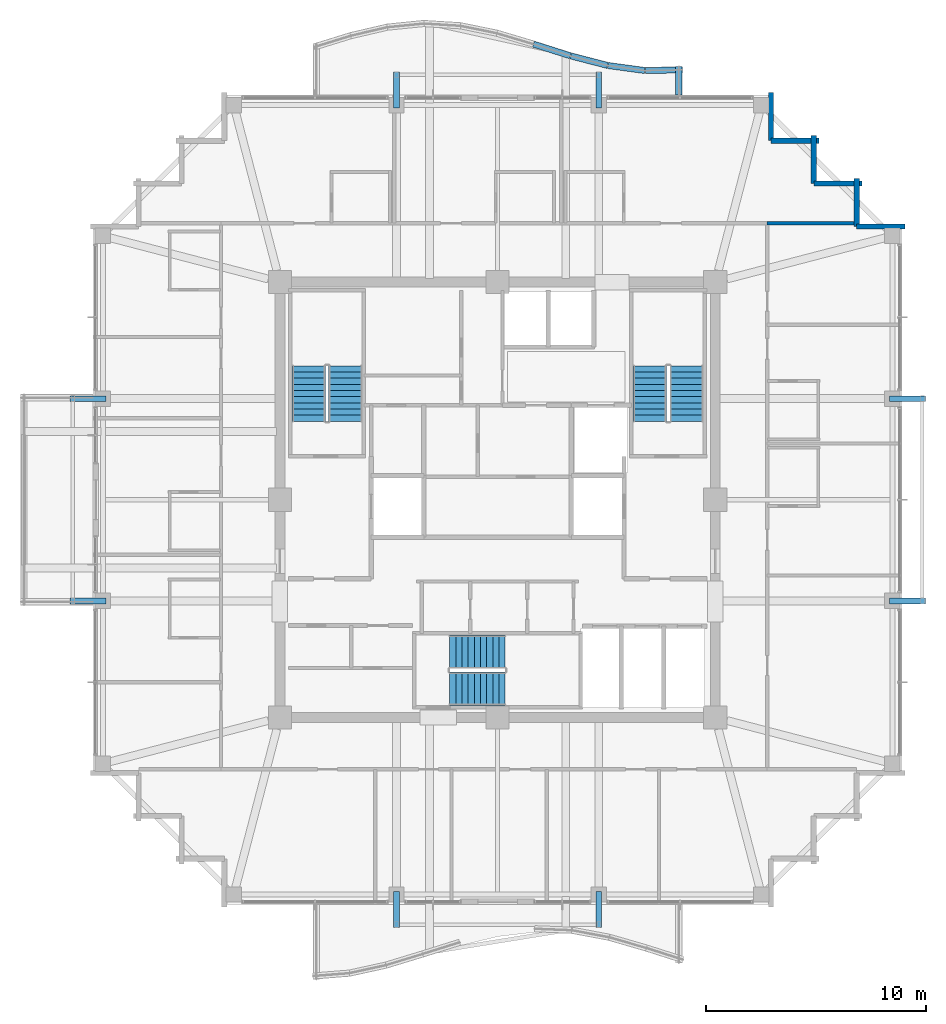
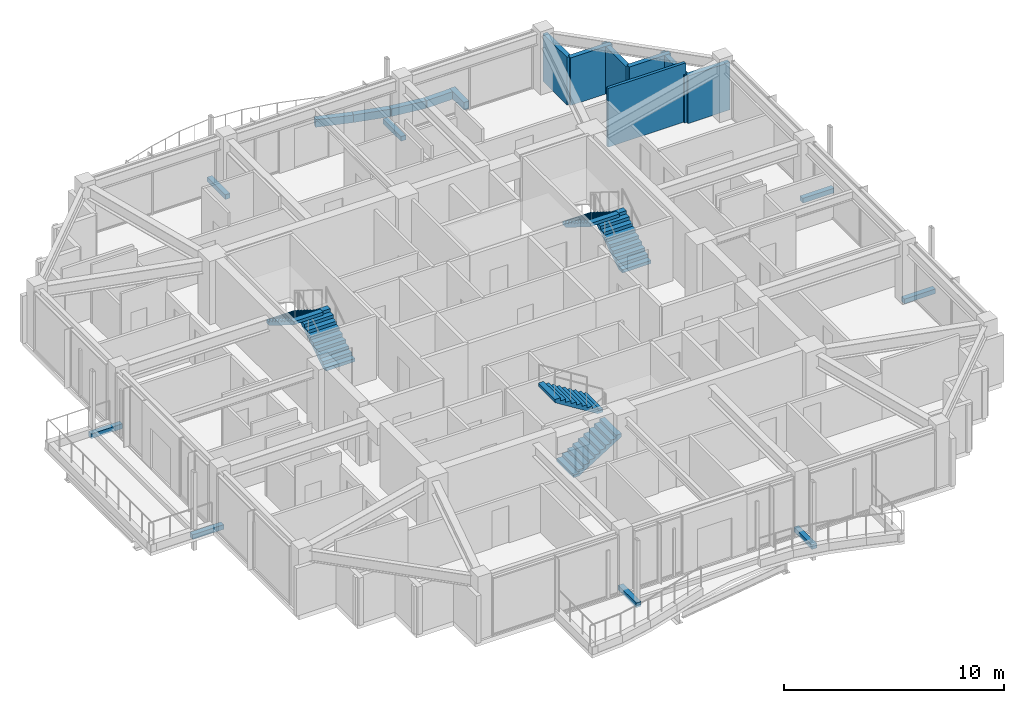
# One storey, part 31 of 34: 12 walls, 8 discrete accessories, 6 stair flights, 3 elements without a shape of their own.
"""IFC4 building model written with IfcOpenShell, lengths in metres."""

from ifc_helpers import new_model, si_unit, direction, frame, frame_2d, origin, origin_2d, place, context, subcontext, project, spatial, polyline, rectangle, outline, extrude, material, layer, layer_set, type_object, element, aggregate, save


model = new_model("IFC4")

# Units and contexts
model_context = context("Model", 3, precision=1e-05, world=origin(), true_north=direction((0.0, 1.0)))
body_context = subcontext(model_context, "Body", "Model", "MODEL_VIEW")
ifc_project = project(units=[si_unit("LENGTHUNIT", "METRE"), si_unit("AREAUNIT", "SQUARE_METRE"), si_unit("VOLUMEUNIT", "CUBIC_METRE"), si_unit("PLANEANGLEUNIT", "RADIAN"), si_unit("MASSUNIT", "GRAM", prefix="KILO")], contexts=[model_context])

# Site, building, storey
site_placement = place(None, origin())
site = spatial("IfcSite", under=ifc_project, at=site_placement, CompositionType="ELEMENT")
building_placement = place(site_placement, origin())
building = spatial("IfcBuilding", under=site, at=building_placement, Name="Kolvaren Belvedere", CompositionType="ELEMENT")
storey_placement = place(building_placement, frame((0.0, 0.0, 240.89990234375)))
storey = spatial("IfcBuildingStorey", under=building, at=storey_placement, Name="L70", CompositionType="ELEMENT", Elevation=240.89990234375)

# Walls
ifc_material_1 = material(Name="Insulated pale-metal facade wall assembly", Category="aluminium")
ifc_layer_1 = layer(ifc_material_1, 0.239990234375)
ifc_layer_set_1 = layer_set([ifc_layer_1], Name="Insulated pale-metal facade wall assembly")
wall_type_1 = type_object("IfcWallType", Name="WL-EXT-240", PredefinedType="STANDARD", material=ifc_layer_set_1)
wall_1_placement = place(storey_placement, frame((16.330078125, 12.429931640625, 0.0), z_axis=(0.0, 0.0, 1.0), x_axis=(1.0, 0.0, 0.0)))
element("IfcWall", 1, at=wall_1_placement, inside=storey, type_object=wall_type_1, Name="L70 Serrated Corner Facade Wall 9", PredefinedType="STANDARD", context=body_context, shape_type="SweptSolid", body=[
    extrude(rectangle(XDim=2.18994140625, YDim=0.239990234375, at=frame_2d((1.094970703125, 0.0))), origin(), (0.0, 0.0, 1.0), 2.633056640625),
])
for number, where, z_axis, x_axis, name in (
    (2, (16.330078125, 14.6201171875, 0.0), (0.0, 0.0, 1.0), (0.0, -1.0, 0.0), "L70 Serrated Corner Facade Wall 10"),
    (3, (14.3798828125, 14.3798828125, 0.0), (0.0, 0.0, 1.0), (1.0, 0.0, 0.0), "L70 Serrated Corner Facade Wall 11"),
    (4, (14.3798828125, 16.570068359375, 0.0), (0.0, 0.0, 1.0), (0.0, -1.0, 0.0), "L70 Serrated Corner Facade Wall 12"),
    (5, (12.429931640625, 16.330078125, 0.0), (0.0, 0.0, 1.0), (1.0, 0.0, 0.0), "L70 Serrated Corner Facade Wall 13"),
):
    element("IfcWall", number, at=place(storey_placement, frame(where, z_axis=z_axis, x_axis=x_axis)), inside=storey, type_object=wall_type_1, Name=name, PredefinedType="STANDARD", context=body_context, shape_type="SweptSolid", body=[
        extrude(rectangle(XDim=2.190185546875, YDim=0.239990234375, at=frame_2d((1.09521484375, 0.0))), origin(), (0.0, 0.0, 1.0), 2.633056640625),
    ])
wall_2_placement = place(storey_placement, frame((12.429931640625, 18.52001953125, 0.0), z_axis=(0.0, 0.0, 1.0), x_axis=(0.0, -1.0, 0.0)))
element("IfcWall", 6, at=wall_2_placement, inside=storey, type_object=wall_type_1, Name="L70 Serrated Corner Facade Wall 14", PredefinedType="STANDARD", context=body_context, shape_type="SweptSolid", body=[
    extrude(rectangle(XDim=2.18994140625, YDim=0.239990234375, at=frame_2d((1.094970703125, 0.0))), origin(), (0.0, 0.0, 1.0), 2.633056640625),
])
ifc_material_2 = material(Name="Gypsum acoustic partition assembly", Category="gypsum")
ifc_layer_2 = layer(ifc_material_2, 0.14990234375)
ifc_layer_set_2 = layer_set([ifc_layer_2], Name="Gypsum acoustic partition assembly")
wall_type_2 = type_object("IfcWallType", Name="WL-PART-150", PredefinedType="PARTITIONING", material=ifc_layer_set_2)
wall_3_placement = place(storey_placement, frame((12.260009765625, 12.580078125, 0.0), z_axis=(0.0, 0.0, 1.0), x_axis=(1.0, 0.0, 0.0)))
element("IfcWall", 7, at=wall_3_placement, inside=storey, type_object=wall_type_2, Name="L70 Wing Divider PW-L70-QNE", PredefinedType="PARTITIONING", context=body_context, shape_type="SweptSolid", body=[
    extrude(rectangle(XDim=4.06005859375, YDim=0.14990234375, at=frame_2d((2.030029296875, 0.0))), origin(), (0.0, 0.0, 1.0), 3.25),
])
ifc_material_3 = material(Name="Precast concrete C40/50", Category="concrete")
ifc_layer_3 = layer(ifc_material_3, 0.300048828125)
ifc_layer_set_3 = layer_set([ifc_layer_3], Name="Precast concrete C40/50")
wall_type_3 = type_object("IfcWallType", Name="WL-PLANTER-300", PredefinedType="PARAPET", material=ifc_layer_set_3)
wall_4_placement = place(storey_placement, frame((8.239990234375, 18.39990234375, -0.06982421875), z_axis=(0.0, 0.0, 1.0), x_axis=(0.0, 1.0, 0.0)))
element("IfcWall", 8, at=wall_4_placement, inside=storey, type_object=wall_type_3, Name="L70 Precast Structural Planter Wall BAL-N-11", PredefinedType="PARAPET", context=body_context, shape_type="SweptSolid", body=[
    extrude(rectangle(XDim=1.31298828125, YDim=0.280029296875, at=frame_2d((0.656494140625, 0.0))), origin(), (0.0, 0.0, 1.0), 0.419921875),
])
wall_5_placement = place(storey_placement, frame((8.4033203125, 19.552978515625, -0.06982421875), z_axis=(0.0, 0.0, 1.0), x_axis=(-0.99979609052, -0.020193498486, 0.0)))
element("IfcWall", 9, at=wall_5_placement, inside=storey, type_object=wall_type_3, Name="L70 Precast Structural Planter Wall BAL-N-12", PredefinedType="PARAPET", context=body_context, shape_type="SweptSolid", body=[
    extrude(rectangle(XDim=1.680419921875, YDim=0.280029296875, at=frame_2d((0.84033203125, 0.0))), origin(), (0.0, 0.0, 1.0), 0.419921875),
])
wall_6_placement = place(storey_placement, frame((6.698486328125, 19.5205078125, -0.06982421875), z_axis=(0.0, 0.0, 1.0), x_axis=(-0.990858183042, 0.134907602079, 0.0)))
element("IfcWall", 10, at=wall_6_placement, inside=storey, type_object=wall_type_3, Name="L70 Precast Structural Planter Wall BAL-N-13", PredefinedType="PARAPET", context=body_context, shape_type="SweptSolid", body=[
    extrude(rectangle(XDim=1.695556640625, YDim=0.280029296875, at=frame_2d((0.84765625, 0.0))), origin(), (0.0, 0.0, 1.0), 0.419921875),
])
wall_7_placement = place(storey_placement, frame((5.0, 19.7529296875, -0.06982421875), z_axis=(0.0, 0.0, 1.0), x_axis=(-0.968141031826, 0.250405556038, 0.0)))
element("IfcWall", 11, at=wall_7_placement, inside=storey, type_object=wall_type_3, Name="L70 Precast Structural Planter Wall BAL-N-14", PredefinedType="PARAPET", context=body_context, shape_type="SweptSolid", body=[
    extrude(rectangle(XDim=1.7353515625, YDim=0.280029296875, at=frame_2d((0.86767578125, 0.0))), origin(), (0.0, 0.0, 1.0), 0.419921875),
])
wall_8_placement = place(storey_placement, frame((3.3115234375, 20.18994140625, -0.06982421875), z_axis=(0.0, 0.0, 1.0), x_axis=(-0.953181954832, 0.302397356111, 0.0)))
element("IfcWall", 12, at=wall_8_placement, inside=storey, type_object=wall_type_3, Name="L70 Precast Structural Planter Wall BAL-N-15", PredefinedType="PARAPET", context=body_context, shape_type="SweptSolid", body=[
    extrude(rectangle(XDim=1.762451171875, YDim=0.280029296875, at=frame_2d((0.88134765625, 0.0))), origin(), (0.0, 0.0, 1.0), 0.419921875),
])

# Stair, stair flights
ifc_material_4 = material(Name="Concrete C50/60", Category="concrete")
stair_type = type_object("IfcStairType", Name="ST-CORE-1520", PredefinedType="HALF_TURN_STAIR", material=ifc_material_4)
stair_1_placement = place(storey_placement, origin())
stair_1 = element("IfcStair", 13, at=stair_1_placement, inside=storey, type_object=stair_type, Name="L70 Protected Exit Stair ST-1", PredefinedType="HALF_TURN_STAIR")
ifc_material_5 = material(Name="Concrete C50/60", Category="concrete")
stair_flight_type = type_object("IfcStairFlightType", Name="SF-STR-1520", PredefinedType="STRAIGHT", material=ifc_material_5)
stair_flight_1_placement = place(storey_placement, frame((-6.919921875, 3.570068359375, 0.0), z_axis=(0.0, 0.0, 1.0), x_axis=(0.0, 1.0, 0.0)))
stair_flight_1 = element("IfcStairFlight", 14, at=stair_flight_1_placement, type_object=stair_flight_type, Name="ST-1 flight 1", NumberOfRisers=10, NumberOfTreads=9, PredefinedType="STRAIGHT", RiserHeight=0.175, TreadLength=0.28, context=body_context, shape_type="SweptSolid", body=[
    extrude(outline(polyline([(0.0, 0.0), (0.0, 0.175048828125), (0.280029296875, 0.175048828125), (0.280029296875, 0.35009765625), (0.56005859375, 0.35009765625), (0.56005859375, 0.52490234375), (0.840087890625, 0.52490234375), (0.840087890625, 0.699951171875), (1.1201171875, 0.699951171875), (1.1201171875, 0.875), (1.39990234375, 0.875), (1.39990234375, 1.050048828125), (1.679931640625, 1.050048828125), (1.679931640625, 1.22509765625), (1.9599609375, 1.22509765625), (1.9599609375, 1.39990234375), (2.239990234375, 1.39990234375), (2.239990234375, 1.574951171875), (2.52001953125, 1.574951171875), (2.52001953125, 1.75), (2.52001953125, 1.398193359375), (0.28271484375, 0.0), (0.0, 0.0)])), frame((0.0, 0.760009765625, 0.0), z_axis=(0.0, -1.0, 0.0), x_axis=(1.0, 0.0, 0.0)), (0.0, 0.0, 1.0), 1.52001953125),
])
stair_flight_2_placement = place(storey_placement, frame((-8.590087890625, 6.090087890625, 1.75), z_axis=(0.0, 0.0, 1.0), x_axis=(0.0, -1.0, 0.0)))
stair_flight_2 = element("IfcStairFlight", 15, at=stair_flight_2_placement, type_object=stair_flight_type, Name="ST-1 flight 2", NumberOfRisers=10, NumberOfTreads=9, PredefinedType="STRAIGHT", RiserHeight=0.175, TreadLength=0.28, context=body_context, shape_type="SweptSolid", body=[
    extrude(outline(polyline([(0.0, 0.0), (0.0, 0.175048828125), (0.280029296875, 0.175048828125), (0.280029296875, 0.35009765625), (0.56005859375, 0.35009765625), (0.56005859375, 0.52490234375), (0.840087890625, 0.52490234375), (0.840087890625, 0.699951171875), (1.1201171875, 0.699951171875), (1.1201171875, 0.875), (1.39990234375, 0.875), (1.39990234375, 1.050048828125), (1.679931640625, 1.050048828125), (1.679931640625, 1.22509765625), (1.9599609375, 1.22509765625), (1.9599609375, 1.39990234375), (2.239990234375, 1.39990234375), (2.239990234375, 1.574951171875), (2.52001953125, 1.574951171875), (2.52001953125, 1.75), (2.52001953125, 1.398193359375), (0.28271484375, 0.0), (0.0, 0.0)])), frame((0.0, 0.760009765625, 0.0), z_axis=(0.0, -1.0, 0.0), x_axis=(1.0, 0.0, 0.0)), (0.0, 0.0, 1.0), 1.52001953125),
])
aggregate(stair_1, [stair_flight_1, stair_flight_2])

stair_2_placement = place(storey_placement, origin())
stair_2 = element("IfcStair", 16, at=stair_2_placement, inside=storey, type_object=stair_type, Name="L70 Protected Exit Stair ST-2", PredefinedType="HALF_TURN_STAIR")
stair_flight_3_placement = place(storey_placement, frame((8.590087890625, 3.570068359375, 0.0), z_axis=(0.0, 0.0, 1.0), x_axis=(0.0, 1.0, 0.0)))
stair_flight_3 = element("IfcStairFlight", 17, at=stair_flight_3_placement, type_object=stair_flight_type, Name="ST-2 flight 1", NumberOfRisers=10, NumberOfTreads=9, PredefinedType="STRAIGHT", RiserHeight=0.175, TreadLength=0.28, context=body_context, shape_type="SweptSolid", body=[
    extrude(outline(polyline([(0.0, 0.0), (0.0, 0.175048828125), (0.280029296875, 0.175048828125), (0.280029296875, 0.35009765625), (0.56005859375, 0.35009765625), (0.56005859375, 0.52490234375), (0.840087890625, 0.52490234375), (0.840087890625, 0.699951171875), (1.1201171875, 0.699951171875), (1.1201171875, 0.875), (1.39990234375, 0.875), (1.39990234375, 1.050048828125), (1.679931640625, 1.050048828125), (1.679931640625, 1.22509765625), (1.9599609375, 1.22509765625), (1.9599609375, 1.39990234375), (2.239990234375, 1.39990234375), (2.239990234375, 1.574951171875), (2.52001953125, 1.574951171875), (2.52001953125, 1.75), (2.52001953125, 1.398193359375), (0.28271484375, 0.0), (0.0, 0.0)])), frame((0.0, 0.760009765625, 0.0), z_axis=(0.0, -1.0, 0.0), x_axis=(1.0, 0.0, 0.0)), (0.0, 0.0, 1.0), 1.52001953125),
])
stair_flight_4_placement = place(storey_placement, frame((6.919921875, 6.090087890625, 1.75), z_axis=(0.0, 0.0, 1.0), x_axis=(0.0, -1.0, 0.0)))
stair_flight_4 = element("IfcStairFlight", 18, at=stair_flight_4_placement, type_object=stair_flight_type, Name="ST-2 flight 2", NumberOfRisers=10, NumberOfTreads=9, PredefinedType="STRAIGHT", RiserHeight=0.175, TreadLength=0.28, context=body_context, shape_type="SweptSolid", body=[
    extrude(outline(polyline([(0.0, 0.0), (0.0, 0.175048828125), (0.280029296875, 0.175048828125), (0.280029296875, 0.35009765625), (0.56005859375, 0.35009765625), (0.56005859375, 0.52490234375), (0.840087890625, 0.52490234375), (0.840087890625, 0.699951171875), (1.1201171875, 0.699951171875), (1.1201171875, 0.875), (1.39990234375, 0.875), (1.39990234375, 1.050048828125), (1.679931640625, 1.050048828125), (1.679931640625, 1.22509765625), (1.9599609375, 1.22509765625), (1.9599609375, 1.39990234375), (2.239990234375, 1.39990234375), (2.239990234375, 1.574951171875), (2.52001953125, 1.574951171875), (2.52001953125, 1.75), (2.52001953125, 1.398193359375), (0.28271484375, 0.0), (0.0, 0.0)])), frame((0.0, 0.760009765625, 0.0), z_axis=(0.0, -1.0, 0.0), x_axis=(1.0, 0.0, 0.0)), (0.0, 0.0, 1.0), 1.52001953125),
])
aggregate(stair_2, [stair_flight_3, stair_flight_4])

stair_3_placement = place(storey_placement, origin())
stair_3 = element("IfcStair", 19, at=stair_3_placement, inside=storey, type_object=stair_type, Name="L70 Protected Exit Stair ST-3", PredefinedType="HALF_TURN_STAIR")
stair_flight_5_placement = place(storey_placement, frame((-2.179931640625, -8.590087890625, 0.0), z_axis=(0.0, 0.0, 1.0), x_axis=(1.0, 0.0, 0.0)))
stair_flight_5 = element("IfcStairFlight", 20, at=stair_flight_5_placement, type_object=stair_flight_type, Name="ST-3 flight 1", NumberOfRisers=10, NumberOfTreads=9, PredefinedType="STRAIGHT", RiserHeight=0.175, TreadLength=0.28, context=body_context, shape_type="SweptSolid", body=[
    extrude(outline(polyline([(0.0, 0.0), (0.0, 0.175048828125), (0.280029296875, 0.175048828125), (0.280029296875, 0.35009765625), (0.56005859375, 0.35009765625), (0.56005859375, 0.52490234375), (0.840087890625, 0.52490234375), (0.840087890625, 0.699951171875), (1.1201171875, 0.699951171875), (1.1201171875, 0.875), (1.39990234375, 0.875), (1.39990234375, 1.050048828125), (1.679931640625, 1.050048828125), (1.679931640625, 1.22509765625), (1.9599609375, 1.22509765625), (1.9599609375, 1.39990234375), (2.239990234375, 1.39990234375), (2.239990234375, 1.574951171875), (2.52001953125, 1.574951171875), (2.52001953125, 1.75), (2.52001953125, 1.398193359375), (0.28271484375, 0.0), (0.0, 0.0)])), frame((0.0, 0.760009765625, 0.0), z_axis=(0.0, -1.0, 0.0), x_axis=(1.0, 0.0, 0.0)), (0.0, 0.0, 1.0), 1.52001953125),
])
stair_flight_6_placement = place(storey_placement, frame((0.340087890625, -6.919921875, 1.75), z_axis=(0.0, 0.0, 1.0), x_axis=(-1.0, 0.0, 0.0)))
stair_flight_6 = element("IfcStairFlight", 21, at=stair_flight_6_placement, type_object=stair_flight_type, Name="ST-3 flight 2", NumberOfRisers=10, NumberOfTreads=9, PredefinedType="STRAIGHT", RiserHeight=0.175, TreadLength=0.28, context=body_context, shape_type="SweptSolid", body=[
    extrude(outline(polyline([(0.0, 0.0), (0.0, 0.175048828125), (0.280029296875, 0.175048828125), (0.280029296875, 0.35009765625), (0.56005859375, 0.35009765625), (0.56005859375, 0.52490234375), (0.840087890625, 0.52490234375), (0.840087890625, 0.699951171875), (1.1201171875, 0.699951171875), (1.1201171875, 0.875), (1.39990234375, 0.875), (1.39990234375, 1.050048828125), (1.679931640625, 1.050048828125), (1.679931640625, 1.22509765625), (1.9599609375, 1.22509765625), (1.9599609375, 1.39990234375), (2.239990234375, 1.39990234375), (2.239990234375, 1.574951171875), (2.52001953125, 1.574951171875), (2.52001953125, 1.75), (2.52001953125, 1.398193359375), (0.28271484375, 0.0), (0.0, 0.0)])), frame((0.0, 0.760009765625, 0.0), z_axis=(0.0, -1.0, 0.0), x_axis=(1.0, 0.0, 0.0)), (0.0, 0.0, 1.0), 1.52001953125),
])
aggregate(stair_3, [stair_flight_5, stair_flight_6])

# Discrete accessories
ifc_material_6 = material(Name="Structural steel ASTM A572 Grade 50", Category="steel")
discrete_accessory_type = type_object("IfcDiscreteAccessoryType", Name="BRK-1 Steel Facade Support Bracket", PredefinedType="BRACKET", material=ifc_material_6)
for number, where, z_axis, x_axis, name in (
    (22, (-4.60009765625, 18.635009765625, -0.169921875), (0.0, 0.0, 1.0), (0.0, 1.0, 0.0), "L70 Picture-Frame Outrigger Cleat Bracket N1"),
    (23, (4.60009765625, 18.635009765625, -0.169921875), (0.0, 0.0, 1.0), (0.0, 1.0, 0.0), "L70 Picture-Frame Outrigger Cleat Bracket N2"),
    (24, (4.60009765625, -18.635009765625, -0.169921875), (0.0, 0.0, 1.0), (0.0, 1.0, 0.0), "L70 Picture-Frame Outrigger Cleat Bracket S1"),
    (25, (-4.60009765625, -18.635009765625, -0.169921875), (0.0, 0.0, 1.0), (0.0, 1.0, 0.0), "L70 Picture-Frame Outrigger Cleat Bracket S2"),
    (26, (18.635009765625, 4.60009765625, -0.169921875), (0.0, 0.0, 1.0), (1.0, 0.0, 0.0), "L70 Picture-Frame Outrigger Cleat Bracket E1"),
    (27, (18.635009765625, -4.60009765625, -0.169921875), (0.0, 0.0, 1.0), (1.0, 0.0, 0.0), "L70 Picture-Frame Outrigger Cleat Bracket E2"),
    (28, (-18.635009765625, -4.60009765625, -0.169921875), (0.0, 0.0, 1.0), (1.0, 0.0, 0.0), "L70 Picture-Frame Outrigger Cleat Bracket W1"),
    (29, (-18.635009765625, 4.60009765625, -0.169921875), (0.0, 0.0, 1.0), (1.0, 0.0, 0.0), "L70 Picture-Frame Outrigger Cleat Bracket W2"),
):
    element("IfcDiscreteAccessory", number, at=place(storey_placement, frame(where, z_axis=z_axis, x_axis=x_axis)), inside=storey, type_object=discrete_accessory_type, Name=name, PredefinedType="BRACKET", context=body_context, shape_type="SweptSolid", body=[
        extrude(rectangle(XDim=1.639892578125, YDim=0.260009765625, at=origin_2d()), origin(), (0.0, 0.0, 1.0), 0.260009765625),
    ])

save(model, "model.ifc")
